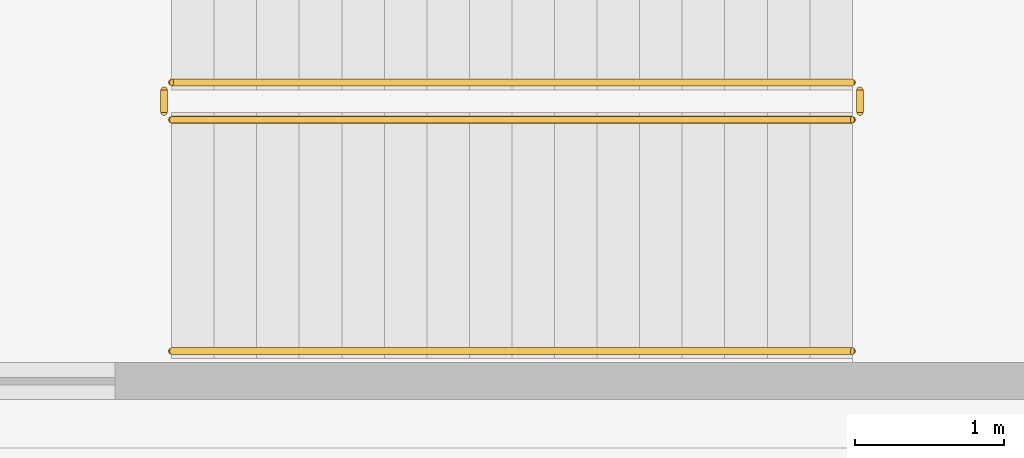
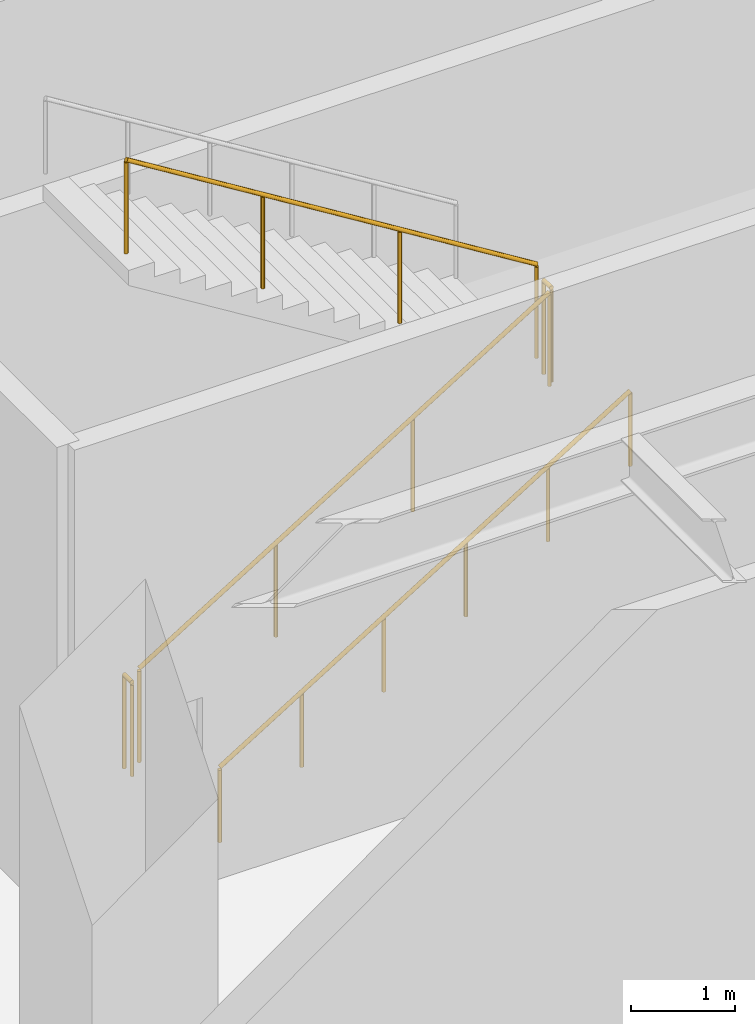
# One storey, part 35 of 37: 5 railings.
"""IFC4 building model written with IfcOpenShell, lengths in metres."""

import ifcopenshell
import ifcopenshell.guid

model = None  # the IFC model being written
_history = None  # IfcOwnerHistory: only IFC2X3 demands one
_inside = {}  # id of a spatial element -> (the spatial element, [elements in it])
_under = {}  # id of a project, library or spatial element -> (it, [spatial elements below it])
_declared = {}  # id of a project -> (the project, [libraries it declares])
_typed = {}  # id of a type object -> (the type object, [elements of that type])
_made_of = {}  # id of a material, layer set ... -> (it, [elements and type objects made of it])


def new_model(schema):
    """Start an empty IFC model of exactly this schema.

    Asked for "IFC4X3", IfcOpenShell would pick the latest addendum, in which some entities
    have other attributes; the version numbers below select the first issue.
    IFC2X3 requires an IfcOwnerHistory on every rooted entity: one is made here for all.
    """
    global model, _history
    if schema == "IFC4X3":
        model = ifcopenshell.file(schema_version=(4, 3, 0, 0))
    else:
        model = ifcopenshell.file(schema=schema)
    _inside.clear()
    _under.clear()
    _declared.clear()
    _typed.clear()
    _made_of.clear()
    _history = None
    if model.schema == "IFC2X3":
        org = make("IfcOrganization", Name="unknown")
        user = make(
            "IfcPersonAndOrganization",
            ThePerson=make("IfcPerson", FamilyName="unknown"),
            TheOrganization=org,
        )
        app = make(
            "IfcApplication",
            ApplicationDeveloper=org,
            Version="unknown",
            ApplicationFullName="unknown",
            ApplicationIdentifier="unknown",
        )
        _history = make(
            "IfcOwnerHistory",
            OwningUser=user,
            OwningApplication=app,
            ChangeAction="ADDED",
            CreationDate=0,
        )
    return model


def make(cls, **values):
    """One entity of the class cls with the attributes given. An attribute that is None is left unset."""
    return model.create_entity(
        cls, **{name: value for name, value in values.items() if value is not None}
    )


def rooted(cls, **values):
    """An entity with a GlobalId (a new one), such as an element, a storey or a relation."""
    return make(cls, GlobalId=ifcopenshell.guid.new(), OwnerHistory=_history, **values)


def si_unit(unit_type, name, prefix=None):
    """IfcSIUnit, for example si_unit("LENGTHUNIT", "METRE", prefix="MILLI")."""
    return make("IfcSIUnit", UnitType=unit_type, Prefix=prefix, Name=name)


def assignment(units):
    """IfcUnitAssignment: the units of a project."""
    return None if units is None else make("IfcUnitAssignment", Units=units)


def point(xyz):
    """IfcCartesianPoint."""
    return None if xyz is None else make("IfcCartesianPoint", Coordinates=xyz)


def direction(xyz):
    """IfcDirection."""
    return None if xyz is None else make("IfcDirection", DirectionRatios=xyz)


def frame(location, z_axis=None, x_axis=None):
    """IfcAxis2Placement3D, a coordinate frame: its origin and axes. An axis left out is left unset."""
    return make(
        "IfcAxis2Placement3D",
        Location=point(location),
        Axis=direction(z_axis),
        RefDirection=direction(x_axis),
    )


def frame_2d(location, x_axis=None):
    """IfcAxis2Placement2D, a coordinate frame in the plane: its origin and x axis."""
    return make(
        "IfcAxis2Placement2D", Location=point(location), RefDirection=direction(x_axis)
    )


def origin():
    """The frame at (0, 0, 0) with its axes left unset."""
    return frame((0.0, 0.0, 0.0))


def origin_2d():
    """The frame at (0, 0) in the plane with its x axis left unset."""
    return frame_2d((0.0, 0.0))


def place(relative_to, where):
    """IfcLocalPlacement: puts the frame where relative to a parent placement (None: the world)."""
    return make(
        "IfcLocalPlacement", PlacementRelTo=relative_to, RelativePlacement=where
    )


def context(
    kind, dimensions, precision=None, world=None, true_north=None, identifier=None
):
    """IfcGeometricRepresentationContext, for example the 3D "Model" context."""
    return make(
        "IfcGeometricRepresentationContext",
        ContextIdentifier=identifier,
        ContextType=kind,
        CoordinateSpaceDimension=dimensions,
        Precision=precision,
        WorldCoordinateSystem=world,
        TrueNorth=true_north,
    )


def subcontext(parent, identifier, kind, view, scale=None):
    """IfcGeometricRepresentationSubContext, for example "Body" below "Model"."""
    return make(
        "IfcGeometricRepresentationSubContext",
        ContextIdentifier=identifier,
        ContextType=kind,
        ParentContext=parent,
        TargetScale=scale,
        TargetView=view,
    )


def project(units=None, contexts=None):
    """IfcProject with its units and contexts."""
    return rooted(
        "IfcProject",
        Name="project",
        RepresentationContexts=contexts,
        UnitsInContext=assignment(units),
    )


def spatial(cls, under=None, at=None, **own):
    """A site, building, storey or space (cls), placed at a placement, below another one or the project."""
    s = rooted(cls, ObjectPlacement=at, **own)
    if under is not None:
        _under.setdefault(under.id(), (under, []))[1].append(s)
    return s


def profile(cls, at=None, kind="AREA", **sizes):
    """A parametric profile (cls). Its sizes go by their IFC names, for example OverallWidth=200.0."""
    return make(cls, ProfileType=kind, Position=at, **sizes)


def circle(**sizes):
    """IfcCircleProfileDef."""
    return profile("IfcCircleProfileDef", **sizes)


def extrude(swept, where, along, depth):
    """IfcExtrudedAreaSolid: the profile swept, set in the frame where, extruded along a direction by depth."""
    return make(
        "IfcExtrudedAreaSolid",
        SweptArea=swept,
        Position=where,
        ExtrudedDirection=direction(along),
        Depth=depth,
    )


def shape(context_of_items, identifier, shape_type, items):
    """IfcShapeRepresentation: the items that make up one representation, for example the "Body"."""
    return make(
        "IfcShapeRepresentation",
        ContextOfItems=context_of_items,
        RepresentationIdentifier=identifier,
        RepresentationType=shape_type,
        Items=items,
    )


def material(Name=None, Category=None):
    """IfcMaterial."""
    return make("IfcMaterial", Name=Name, Category=Category)


def made_of(thing, what):
    """Note that an element or type object is made of a material, layer set ...; save() writes the relation."""
    if what is not None:
        _made_of.setdefault(what.id(), (what, []))[1].append(thing)
    return thing


def type_object(cls, material=None, **own):
    """A type object (cls), such as IfcWallType, which elements share."""
    return made_of(rooted(cls, **own), material)


def element(
    cls,
    number,
    at=None,
    inside=None,
    cuts=None,
    type_object=None,
    material=None,
    context=None,
    identifier="Body",
    shape_type=None,
    held_by="IfcProductDefinitionShape",
    body=None,
    shapes=None,
    **own,
):
    """One element of the class cls, such as IfcWall. Its Tag is "e" and its number.

    at: its placement. inside: the storey or other place that contains it. cuts: it is an
    opening in that element (IfcRelVoidsElement). A single representation is given by context,
    identifier, shape_type and body (its items); several are given by shapes. held_by: the class
    of the entity that holds the representations. save() writes the other relations.
    """
    e = rooted(cls, Tag="e%d" % number, ObjectPlacement=at, **own)
    if body is not None:
        shapes = [shape(context, identifier, shape_type, body)]
    if shapes is not None:
        e.Representation = make(held_by, Representations=shapes)
    if inside is not None:
        _inside.setdefault(inside.id(), (inside, []))[1].append(e)
    if cuts is not None:
        rooted(
            "IfcRelVoidsElement", RelatingBuildingElement=cuts, RelatedOpeningElement=e
        )
    if type_object is not None:
        _typed.setdefault(type_object.id(), (type_object, []))[1].append(e)
    return made_of(e, material)


def aggregate(whole, parts):
    """IfcRelAggregates: a whole, such as a stair, and the parts it consists of."""
    return rooted("IfcRelAggregates", RelatingObject=whole, RelatedObjects=parts)


def save(model, path):
    """Write the relations noted so far, then the file.

    IfcRelAggregates (storeys below a building ...), IfcRelContainedInSpatialStructure (elements
    in a storey), IfcRelDefinesByType, IfcRelAssociatesMaterial and IfcRelDeclares: one each for
    every whole, place, type object, material and project.
    """
    for whole, parts in _under.values():
        aggregate(whole, parts)
    for where, things in _inside.values():
        rooted(
            "IfcRelContainedInSpatialStructure",
            RelatedElements=things,
            RelatingStructure=where,
        )
    for kind, things in _typed.values():
        rooted("IfcRelDefinesByType", RelatedObjects=things, RelatingType=kind)
    for what, things in _made_of.values():
        rooted("IfcRelAssociatesMaterial", RelatedObjects=things, RelatingMaterial=what)
    for by, libraries in _declared.values():
        rooted("IfcRelDeclares", RelatingContext=by, RelatedDefinitions=libraries)
    model.write(path)


model = new_model("IFC4")

# Units and contexts
model_context = context("Model", 3, precision=1e-05, world=origin(), true_north=direction((0.0, 1.0)))
body_context = subcontext(model_context, "Body", "Model", "MODEL_VIEW")
ifc_project = project(units=[si_unit("LENGTHUNIT", "METRE"), si_unit("AREAUNIT", "SQUARE_METRE"), si_unit("VOLUMEUNIT", "CUBIC_METRE"), si_unit("PLANEANGLEUNIT", "RADIAN"), si_unit("MASSUNIT", "GRAM", prefix="KILO")], contexts=[model_context])

# Site, building, storey
site_placement = place(None, origin())
site = spatial("IfcSite", under=ifc_project, at=site_placement, CompositionType="ELEMENT")
building_placement = place(site_placement, origin())
building = spatial("IfcBuilding", under=site, at=building_placement, Name="Narakoshi Arena Tower", CompositionType="ELEMENT")
storey_placement = place(building_placement, frame((0.0, 0.0, -6.0)))
storey = spatial("IfcBuildingStorey", under=building, at=storey_placement, Name="B01", CompositionType="ELEMENT", Elevation=-6.0)

# Railings
ifc_material_1 = material(Name="Clear low-iron laminated structural glass", Category="glass")
railing_type_1 = type_object("IfcRailingType", Name="RL-BAL-1100", PredefinedType="BALUSTRADE", material=ifc_material_1)
railing_1_placement = place(storey_placement, frame((42.64990234375, 90.199951171875, 0.176513671875)))
element("IfcRailing", 1, at=railing_1_placement, inside=storey, type_object=railing_type_1, Name="B01 AST8 stair guard 1", PredefinedType="BALUSTRADE", context=body_context, shape_type="SweptSolid", body=[
    extrude(circle(Radius=0.02392578125, at=origin_2d()), frame((0.0, 0.0, 1.09619140625), z_axis=(0.850215668316, 0.0, 0.526434532824), x_axis=(0.0, 1.0, 0.0)), (0.0, 0.0, 1.0), 5.363525390625),
    extrude(circle(Radius=0.02099609375, at=origin_2d()), origin(), (0.0, 0.0, 1.0), 1.072021484375),
    extrude(circle(Radius=0.02099609375, at=origin_2d()), frame((1.52001953125, 0.0, 0.941162109375)), (0.0, 0.0, 1.0), 1.072021484375),
    extrude(circle(Radius=0.02099609375, at=origin_2d()), frame((3.0400390625, 0.0, 1.88232421875)), (0.0, 0.0, 1.0), 1.072021484375),
    extrude(circle(Radius=0.02099609375, at=origin_2d()), frame((4.56005859375, 0.0, 2.823486328125)), (0.0, 0.0, 1.0), 1.072021484375),
])
railing_2_placement = place(storey_placement, frame((47.260009765625, 90.25, 3.0)))
element("IfcRailing", 2, at=railing_2_placement, inside=storey, type_object=railing_type_1, Name="B01 AST8 stair guard 2", PredefinedType="BALUSTRADE", context=body_context, shape_type="SweptSolid", body=[
    extrude(circle(Radius=0.02392578125, at=origin_2d()), frame((0.0, 0.0, 1.09619140625), z_axis=(0.0, 1.0, 0.0), x_axis=(-1.0, 0.0, 0.0)), (0.0, 0.0, 1.0), 0.14990234375),
    extrude(circle(Radius=0.02099609375, at=origin_2d()), origin(), (0.0, 0.0, 1.0), 1.072021484375),
    extrude(circle(Radius=0.02099609375, at=origin_2d()), frame((0.0, 0.14990234375, 0.0)), (0.0, 0.0, 1.0), 1.072021484375),
])
railing_3_placement = place(storey_placement, frame((47.2099609375, 90.449951171875, 3.176513671875)))
element("IfcRailing", 3, at=railing_3_placement, inside=storey, type_object=railing_type_1, Name="B01 AST8 stair guard 3", PredefinedType="BALUSTRADE", context=body_context, shape_type="SweptSolid", body=[
    extrude(circle(Radius=0.02392578125, at=origin_2d()), frame((0.0, 0.0, 1.09619140625), z_axis=(-0.850215668316, 0.0, 0.526434532824), x_axis=(0.0, -1.0, 0.0)), (0.0, 0.0, 1.0), 5.363525390625),
    extrude(circle(Radius=0.02099609375, at=origin_2d()), origin(), (0.0, 0.0, 1.0), 1.072021484375),
    extrude(circle(Radius=0.02099609375, at=origin_2d()), frame((-1.52001953125, 0.0, 0.941162109375)), (0.0, 0.0, 1.0), 1.072021484375),
    extrude(circle(Radius=0.02099609375, at=origin_2d()), frame((-3.0400390625, 0.0, 1.88232421875)), (0.0, 0.0, 1.0), 1.072021484375),
    extrude(circle(Radius=0.02099609375, at=origin_2d()), frame((-4.56005859375, 0.0, 2.823486328125)), (0.0, 0.0, 1.0), 1.072021484375),
])
railing_4_placement = place(storey_placement, frame((42.60009765625, 90.25, 0.0)))
element("IfcRailing", 4, at=railing_4_placement, inside=storey, type_object=railing_type_1, Name="B01 AST8 stair guard 4", PredefinedType="BALUSTRADE", context=body_context, shape_type="SweptSolid", body=[
    extrude(circle(Radius=0.02392578125, at=origin_2d()), frame((0.0, 0.0, 1.09619140625), z_axis=(0.0, 1.0, 0.0), x_axis=(-1.0, 0.0, 0.0)), (0.0, 0.0, 1.0), 0.14990234375),
    extrude(circle(Radius=0.02099609375, at=origin_2d()), origin(), (0.0, 0.0, 1.0), 1.072021484375),
    extrude(circle(Radius=0.02099609375, at=origin_2d()), frame((0.0, 0.14990234375, 0.0)), (0.0, 0.0, 1.0), 1.072021484375),
])
ifc_material_2 = material(Name="Brushed bronze stainless steel", Category="steel")
railing_type_2 = type_object("IfcRailingType", Name="RL-HND-900", PredefinedType="HANDRAIL", material=ifc_material_2)
railing_5_placement = place(storey_placement, frame((42.64990234375, 88.64990234375, 0.176513671875)))
element("IfcRailing", 5, at=railing_5_placement, inside=storey, type_object=railing_type_2, Name="B01 AST8 stair handrail 1", PredefinedType="HANDRAIL", context=body_context, shape_type="SweptSolid", body=[
    extrude(circle(Radius=0.02392578125, at=origin_2d()), frame((0.0, 0.0, 0.8759765625), z_axis=(0.850215668316, 0.0, 0.526434532824), x_axis=(0.0, 1.0, 0.0)), (0.0, 0.0, 1.0), 5.363525390625),
    extrude(circle(Radius=0.02099609375, at=origin_2d()), origin(), (0.0, 0.0, 1.0), 0.851806640625),
    extrude(circle(Radius=0.02099609375, at=origin_2d()), frame((0.912109375, 0.0, 0.564697265625)), (0.0, 0.0, 1.0), 0.851806640625),
    extrude(circle(Radius=0.02099609375, at=origin_2d()), frame((1.823974609375, 0.0, 1.12939453125)), (0.0, 0.0, 1.0), 0.851806640625),
    extrude(circle(Radius=0.02099609375, at=origin_2d()), frame((2.736083984375, 0.0, 1.694091796875)), (0.0, 0.0, 1.0), 0.851806640625),
    extrude(circle(Radius=0.02099609375, at=origin_2d()), frame((3.64794921875, 0.0, 2.2587890625)), (0.0, 0.0, 1.0), 0.851806640625),
    extrude(circle(Radius=0.02099609375, at=origin_2d()), frame((4.56005859375, 0.0, 2.823486328125)), (0.0, 0.0, 1.0), 0.851806640625),
])

save(model, "model.ifc")
